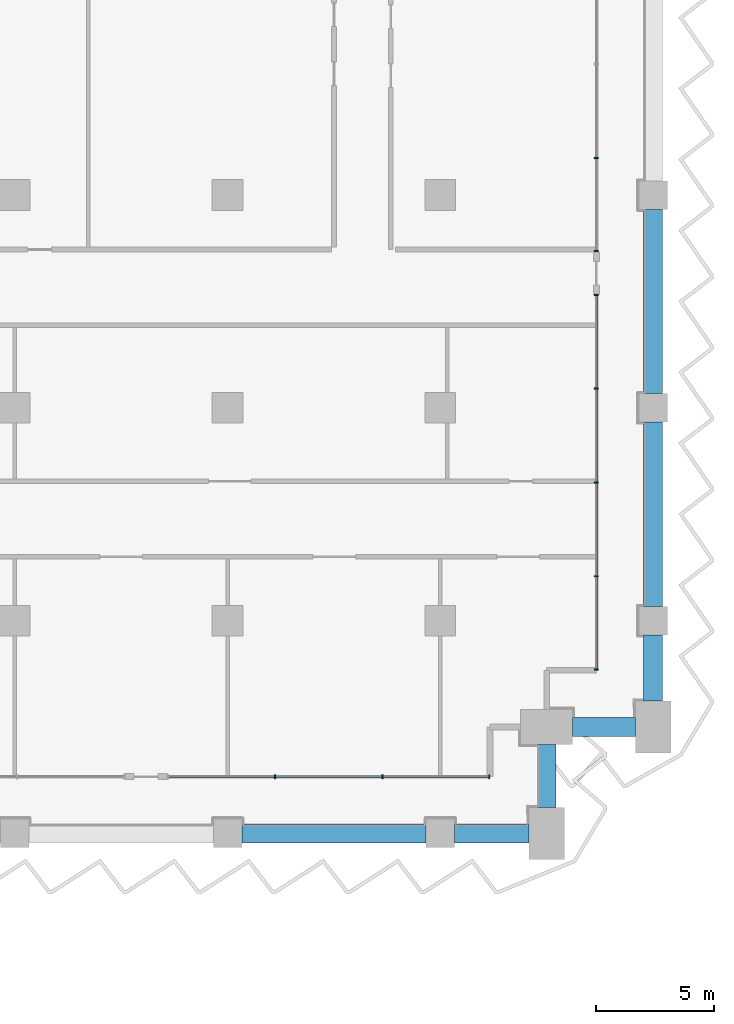
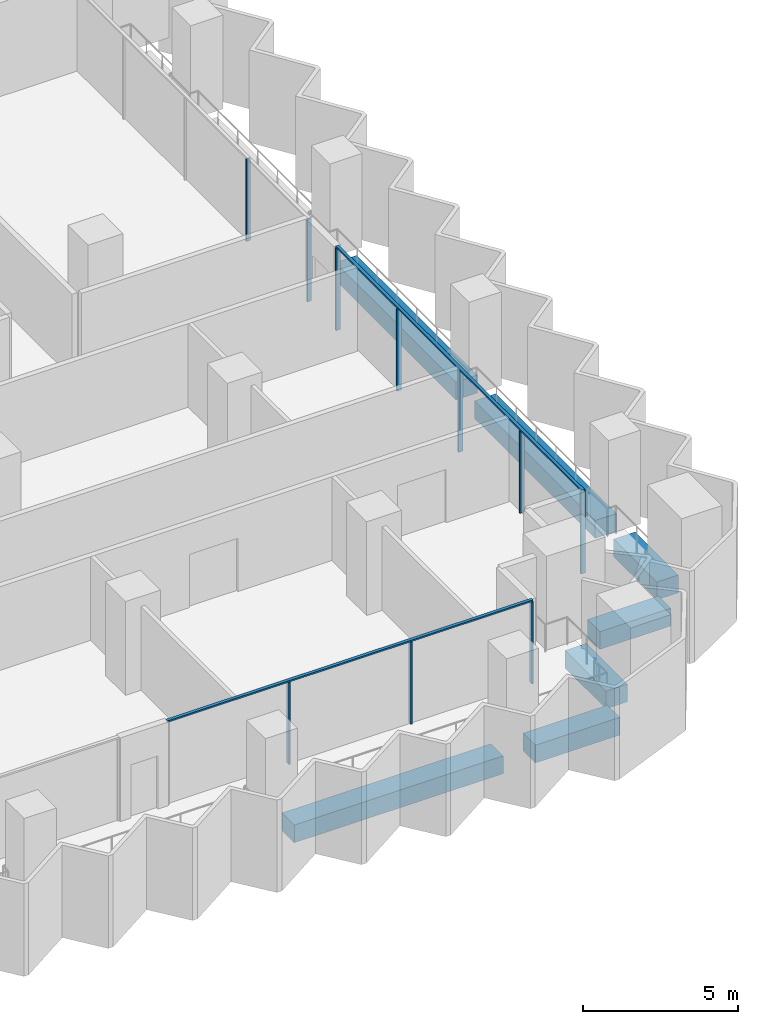
# One storey, part 5 of 23: 12 members, 7 beams, 3 elements without a shape of their own.
"""IFC4 building model written with IfcOpenShell, lengths in metres."""

from ifc_helpers import new_model, si_unit, direction, frame, origin, origin_2d, place, context, subcontext, project, spatial, rectangle, extrude, material, material_profile, profile_set, type_object, element, aggregate, save


model = new_model("IFC4")

# Units and contexts
model_context = context("Model", 3, precision=1e-05, world=origin(), true_north=direction((0.0, 1.0)))
body_context = subcontext(model_context, "Body", "Model", "MODEL_VIEW")
ifc_project = project(units=[si_unit("LENGTHUNIT", "METRE"), si_unit("AREAUNIT", "SQUARE_METRE"), si_unit("VOLUMEUNIT", "CUBIC_METRE"), si_unit("PLANEANGLEUNIT", "RADIAN"), si_unit("MASSUNIT", "GRAM", prefix="KILO")], contexts=[model_context])

# Site, building, storey
site_placement = place(None, origin())
site = spatial("IfcSite", under=ifc_project, at=site_placement, CompositionType="ELEMENT")
building_placement = place(site_placement, origin())
building = spatial("IfcBuilding", under=site, at=building_placement, Name="Hunhe Ridgeline Campus", CompositionType="ELEMENT")
storey_placement = place(building_placement, frame((0.0, 0.0, 95.89990234375)))
storey = spatial("IfcBuildingStorey", under=building, at=storey_placement, Name="L23", CompositionType="ELEMENT", Elevation=95.89990234375)

# Curtain wall, members
ifc_material_1 = material(Name="Aluminium 6063", Category="aluminium")
curtain_wall_type = type_object("IfcCurtainWallType", Name="Curtain wall CW-1", PredefinedType="NOTDEFINED", material=ifc_material_1)
curtain_wall_1_placement = place(storey_placement, origin())
curtain_wall_1 = element("IfcCurtainWall", 1, at=curtain_wall_1_placement, inside=storey, type_object=curtain_wall_type, Name="Curtain wall 13", PredefinedType="NOTDEFINED")
ifc_material_profile_1 = material_profile(ifc_material_1, rectangle(XDim=0.159912109375, YDim=0.06005859375, at=origin_2d()))
ifc_profile_set_1 = profile_set([ifc_material_profile_1], Name="Aluminium 6063")
member_type_1 = type_object("IfcMemberType", Name="CW-1 aluminium mullion", PredefinedType="MULLION", material=ifc_profile_set_1)
member_1_placement = place(storey_placement, frame((64.999267578125, 56.40087890625, 0.0), z_axis=(0.0, 0.0, 1.0), x_axis=(-1.4652e-07, 1.0, 0.0)))
member_1 = element("IfcMember", 2, at=member_1_placement, type_object=member_type_1, Name="CW-1 mullion 2", PredefinedType="MULLION", context=body_context, shape_type="SweptSolid", body=[
    extrude(rectangle(XDim=0.159912109375, YDim=0.06005859375, at=origin_2d()), origin(), (0.0, 0.0, 1.0), 3.239990234375),
])
member_2_placement = place(storey_placement, frame((69.549072265625, 56.40087890625, 0.0), z_axis=(0.0, 0.0, 1.0), x_axis=(-1.4652e-07, 1.0, 0.0)))
member_2 = element("IfcMember", 3, at=member_2_placement, type_object=member_type_1, Name="CW-1 mullion 3", PredefinedType="MULLION", context=body_context, shape_type="SweptSolid", body=[
    extrude(rectangle(XDim=0.159912109375, YDim=0.06005859375, at=origin_2d()), origin(), (0.0, 0.0, 1.0), 3.239990234375),
])
member_3_placement = place(storey_placement, frame((74.069091796875, 56.40087890625, 0.0), z_axis=(0.0, 0.0, 1.0), x_axis=(-1.4652e-07, 1.0, 0.0)))
member_3 = element("IfcMember", 4, at=member_3_placement, type_object=member_type_1, Name="CW-1 mullion 4", PredefinedType="MULLION", context=body_context, shape_type="SweptSolid", body=[
    extrude(rectangle(XDim=0.159912109375, YDim=0.06005859375, at=origin_2d()), origin(), (0.0, 0.0, 1.0), 3.239990234375),
])

curtain_wall_2_placement = place(storey_placement, origin())
curtain_wall_2 = element("IfcCurtainWall", 5, at=curtain_wall_2_placement, inside=storey, type_object=curtain_wall_type, Name="Curtain wall 14", PredefinedType="NOTDEFINED")
member_4_placement = place(storey_placement, frame((78.59912109375, 60.930908203125, 0.0), z_axis=(0.0, 0.0, 1.0), x_axis=(-1.0, 0.0, 0.0)))
member_4 = element("IfcMember", 6, at=member_4_placement, type_object=member_type_1, Name="CW-1 mullion 1", PredefinedType="MULLION", context=body_context, shape_type="SweptSolid", body=[
    extrude(rectangle(XDim=0.159912109375, YDim=0.06005859375, at=origin_2d()), origin(), (0.0, 0.0, 1.0), 3.239990234375),
])
member_5_placement = place(storey_placement, frame((78.59912109375, 64.8759765625, 0.0), z_axis=(0.0, 0.0, 1.0), x_axis=(-1.0, 0.0, 0.0)))
member_5 = element("IfcMember", 7, at=member_5_placement, type_object=member_type_1, Name="CW-1 mullion 2", PredefinedType="MULLION", context=body_context, shape_type="SweptSolid", body=[
    extrude(rectangle(XDim=0.159912109375, YDim=0.06005859375, at=origin_2d()), origin(), (0.0, 0.0, 1.0), 3.239990234375),
])
member_6_placement = place(storey_placement, frame((78.59912109375, 68.850830078125, 0.0), z_axis=(0.0, 0.0, 1.0), x_axis=(-1.0, 0.0, 0.0)))
member_6 = element("IfcMember", 8, at=member_6_placement, type_object=member_type_1, Name="CW-1 mullion 3", PredefinedType="MULLION", context=body_context, shape_type="SweptSolid", body=[
    extrude(rectangle(XDim=0.159912109375, YDim=0.06005859375, at=origin_2d()), origin(), (0.0, 0.0, 1.0), 3.239990234375),
])
member_7_placement = place(storey_placement, frame((78.59912109375, 72.82568359375, 0.0), z_axis=(0.0, 0.0, 1.0), x_axis=(-1.0, 0.0, 0.0)))
member_7 = element("IfcMember", 9, at=member_7_placement, type_object=member_type_1, Name="CW-1 mullion 4", PredefinedType="MULLION", context=body_context, shape_type="SweptSolid", body=[
    extrude(rectangle(XDim=0.159912109375, YDim=0.06005859375, at=origin_2d()), origin(), (0.0, 0.0, 1.0), 3.239990234375),
])
member_8_placement = place(storey_placement, frame((78.59912109375, 76.7705078125, 0.0), z_axis=(0.0, 0.0, 1.0), x_axis=(-1.0, 0.0, 0.0)))
member_8 = element("IfcMember", 10, at=member_8_placement, type_object=member_type_1, Name="CW-1 mullion 5", PredefinedType="MULLION", context=body_context, shape_type="SweptSolid", body=[
    extrude(rectangle(XDim=0.159912109375, YDim=0.06005859375, at=origin_2d()), origin(), (0.0, 0.0, 1.0), 3.239990234375),
])

curtain_wall_3_placement = place(storey_placement, origin())
curtain_wall_3 = element("IfcCurtainWall", 11, at=curtain_wall_3_placement, inside=storey, type_object=curtain_wall_type, Name="Curtain wall 15", PredefinedType="NOTDEFINED")
member_9_placement = place(storey_placement, frame((78.59912109375, 78.630615234375, 0.0), z_axis=(0.0, 0.0, 1.0), x_axis=(-1.0, 0.0, 0.0)))
member_9 = element("IfcMember", 12, at=member_9_placement, type_object=member_type_1, Name="CW-1 mullion 1", PredefinedType="MULLION", context=body_context, shape_type="SweptSolid", body=[
    extrude(rectangle(XDim=0.159912109375, YDim=0.06005859375, at=origin_2d()), origin(), (0.0, 0.0, 1.0), 3.239990234375),
])
member_10_placement = place(storey_placement, frame((78.59912109375, 82.575439453125, 0.0), z_axis=(0.0, 0.0, 1.0), x_axis=(-1.0, 0.0, 0.0)))
member_10 = element("IfcMember", 13, at=member_10_placement, type_object=member_type_1, Name="CW-1 mullion 2", PredefinedType="MULLION", context=body_context, shape_type="SweptSolid", body=[
    extrude(rectangle(XDim=0.159912109375, YDim=0.06005859375, at=origin_2d()), origin(), (0.0, 0.0, 1.0), 3.239990234375),
])
aggregate(curtain_wall_3, [member_9, member_10])

# Member
ifc_material_profile_2 = material_profile(ifc_material_1, rectangle(XDim=0.1201171875, YDim=0.06005859375, at=origin_2d()))
ifc_profile_set_2 = profile_set([ifc_material_profile_2], Name="Aluminium 6063")
member_type_2 = type_object("IfcMemberType", Name="CW-1 aluminium transom", PredefinedType="USERDEFINED", material=ifc_profile_set_2)
member_11_placement = place(storey_placement, frame((60.449462890625, 56.40087890625, 3.27001953125), z_axis=(1.0, 0.0, 0.0), x_axis=(0.0, 1.0, 0.0)))
member_11 = element("IfcMember", 14, at=member_11_placement, type_object=member_type_2, Name="CW-1 transom 1", ObjectType="TRANSOM", PredefinedType="USERDEFINED", context=body_context, shape_type="SweptSolid", body=[
    extrude(rectangle(XDim=0.1201171875, YDim=0.06005859375, at=origin_2d()), origin(), (0.0, 0.0, 1.0), 13.649658203125),
])

aggregate(curtain_wall_1, [member_11, member_1, member_2, member_3])

member_12_placement = place(storey_placement, frame((78.59912109375, 60.90087890625, 3.27001953125), z_axis=(0.0, 1.0, 0.0), x_axis=(-1.0, 0.0, 0.0)))
member_12 = element("IfcMember", 15, at=member_12_placement, type_object=member_type_2, Name="CW-1 transom 1", ObjectType="TRANSOM", PredefinedType="USERDEFINED", context=body_context, shape_type="SweptSolid", body=[
    extrude(rectangle(XDim=0.1201171875, YDim=0.06005859375, at=origin_2d()), origin(), (0.0, 0.0, 1.0), 15.899658203125),
])

aggregate(curtain_wall_2, [member_12, member_4, member_5, member_6, member_7, member_8])

# Beams
ifc_material_2 = material(Name="Concrete C60", Category="concrete")
ifc_material_profile_3 = material_profile(ifc_material_2, rectangle(XDim=0.800048828125, YDim=0.699951171875, at=origin_2d()))
ifc_profile_set_3 = profile_set([ifc_material_profile_3], Name="Concrete C60")
beam_type = type_object("IfcBeamType", Name="RC spandrel beam 800x700 Concrete C60", PredefinedType="SPANDREL", material=ifc_profile_set_3)
beam_1_placement = place(storey_placement, frame((63.60009765625, 54.0, -0.599853515625), z_axis=(1.0, 0.0, 0.0), x_axis=(0.0, 1.0, 0.0)))
element("IfcBeam", 16, at=beam_1_placement, inside=storey, type_object=beam_type, Name="Spandrel beam B1-14 L23", PredefinedType="SPANDREL", context=body_context, shape_type="SweptSolid", body=[
    extrude(rectangle(XDim=0.800048828125, YDim=0.699951171875, at=origin_2d()), origin(), (0.0, 0.0, 1.0), 7.7998046875),
])
beam_2_placement = place(storey_placement, frame((72.60009765625, 54.0, -0.599853515625), z_axis=(1.0, 0.0, 0.0), x_axis=(0.0, 1.0, 0.0)))
element("IfcBeam", 17, at=beam_2_placement, inside=storey, type_object=beam_type, Name="Spandrel beam B1-15 L23", PredefinedType="SPANDREL", context=body_context, shape_type="SweptSolid", body=[
    extrude(rectangle(XDim=0.800048828125, YDim=0.699951171875, at=origin_2d()), origin(), (0.0, 0.0, 1.0), 3.14990234375),
])
for number, where, z_axis, x_axis, name in (
    (18, (76.5, 55.10009765625, -0.599853515625), (0.0, 1.0, 0.0), (-1.0, 0.0, 0.0), "Spandrel beam B1-16 L23"),
    (19, (77.60009765625, 58.5, -0.599853515625), (1.0, 0.0, 0.0), (0.0, 1.0, 0.0), "Spandrel beam B1-17 L23"),
):
    element("IfcBeam", number, at=place(storey_placement, frame(where, z_axis=z_axis, x_axis=x_axis)), inside=storey, type_object=beam_type, Name=name, PredefinedType="SPANDREL", context=body_context, shape_type="SweptSolid", body=[
        extrude(rectangle(XDim=0.800048828125, YDim=0.699951171875, at=origin_2d()), origin(), (0.0, 0.0, 1.0), 2.64990234375),
    ])
beam_3_placement = place(storey_placement, frame((81.0, 59.60009765625, -0.599853515625), z_axis=(0.0, 1.0, 0.0), x_axis=(-1.0, 0.0, 0.0)))
element("IfcBeam", 20, at=beam_3_placement, inside=storey, type_object=beam_type, Name="Spandrel beam B1-18 L23", PredefinedType="SPANDREL", context=body_context, shape_type="SweptSolid", body=[
    extrude(rectangle(XDim=0.800048828125, YDim=0.699951171875, at=origin_2d()), origin(), (0.0, 0.0, 1.0), 2.7998046875),
])
for number, where, z_axis, x_axis, name in (
    (21, (81.0, 63.60009765625, -0.599853515625), (0.0, 1.0, 0.0), (-1.0, 0.0, 0.0), "Spandrel beam B1-19 L23"),
    (22, (81.0, 72.60009765625, -0.599853515625), (0.0, 1.0, 0.0), (-1.0, 0.0, 0.0), "Spandrel beam B1-20 L23"),
):
    element("IfcBeam", number, at=place(storey_placement, frame(where, z_axis=z_axis, x_axis=x_axis)), inside=storey, type_object=beam_type, Name=name, PredefinedType="SPANDREL", context=body_context, shape_type="SweptSolid", body=[
        extrude(rectangle(XDim=0.800048828125, YDim=0.699951171875, at=origin_2d()), origin(), (0.0, 0.0, 1.0), 7.7998046875),
    ])

save(model, "model.ifc")
